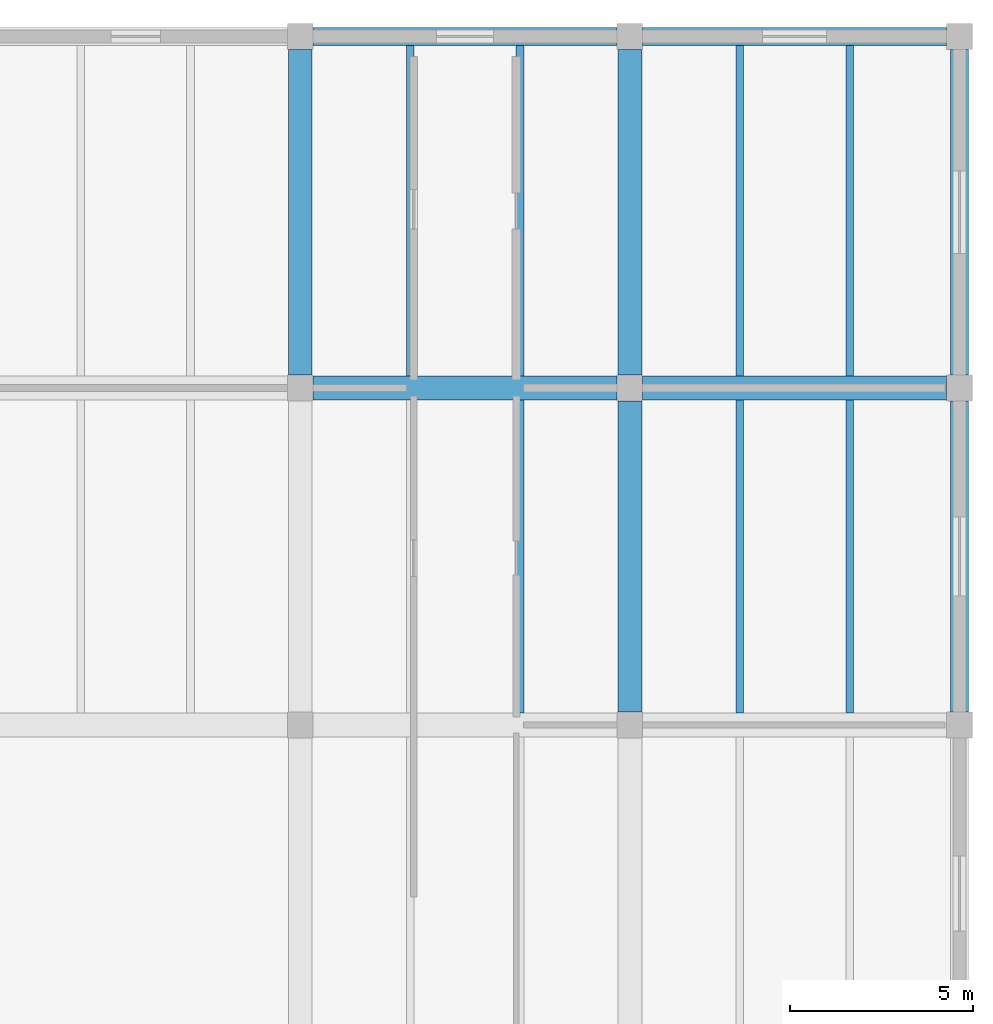
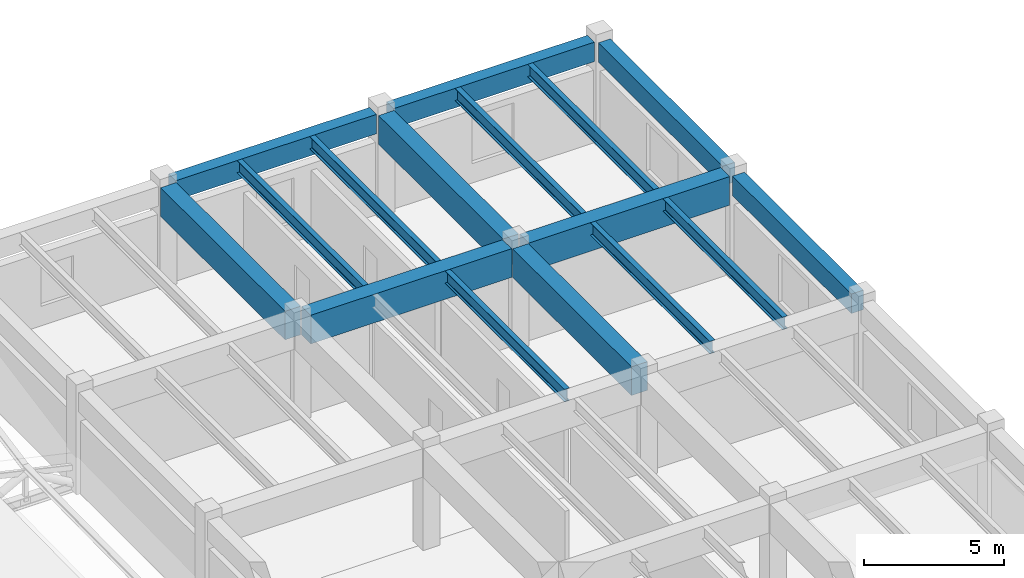
# One storey, part 46 of 90: 16 beams.
"""IFC4 building model written with IfcOpenShell, lengths in metres."""

import ifcopenshell
import ifcopenshell.guid

model = None  # the IFC model being written
_history = None  # IfcOwnerHistory: only IFC2X3 demands one
_inside = {}  # id of a spatial element -> (the spatial element, [elements in it])
_under = {}  # id of a project, library or spatial element -> (it, [spatial elements below it])
_declared = {}  # id of a project -> (the project, [libraries it declares])
_typed = {}  # id of a type object -> (the type object, [elements of that type])
_made_of = {}  # id of a material, layer set ... -> (it, [elements and type objects made of it])


def new_model(schema):
    """Start an empty IFC model of exactly this schema.

    Asked for "IFC4X3", IfcOpenShell would pick the latest addendum, in which some entities
    have other attributes; the version numbers below select the first issue.
    IFC2X3 requires an IfcOwnerHistory on every rooted entity: one is made here for all.
    """
    global model, _history
    if schema == "IFC4X3":
        model = ifcopenshell.file(schema_version=(4, 3, 0, 0))
    else:
        model = ifcopenshell.file(schema=schema)
    _inside.clear()
    _under.clear()
    _declared.clear()
    _typed.clear()
    _made_of.clear()
    _history = None
    if model.schema == "IFC2X3":
        org = make("IfcOrganization", Name="unknown")
        user = make(
            "IfcPersonAndOrganization",
            ThePerson=make("IfcPerson", FamilyName="unknown"),
            TheOrganization=org,
        )
        app = make(
            "IfcApplication",
            ApplicationDeveloper=org,
            Version="unknown",
            ApplicationFullName="unknown",
            ApplicationIdentifier="unknown",
        )
        _history = make(
            "IfcOwnerHistory",
            OwningUser=user,
            OwningApplication=app,
            ChangeAction="ADDED",
            CreationDate=0,
        )
    return model


def make(cls, **values):
    """One entity of the class cls with the attributes given. An attribute that is None is left unset."""
    return model.create_entity(
        cls, **{name: value for name, value in values.items() if value is not None}
    )


def rooted(cls, **values):
    """An entity with a GlobalId (a new one), such as an element, a storey or a relation."""
    return make(cls, GlobalId=ifcopenshell.guid.new(), OwnerHistory=_history, **values)


def si_unit(unit_type, name, prefix=None):
    """IfcSIUnit, for example si_unit("LENGTHUNIT", "METRE", prefix="MILLI")."""
    return make("IfcSIUnit", UnitType=unit_type, Prefix=prefix, Name=name)


def assignment(units):
    """IfcUnitAssignment: the units of a project."""
    return None if units is None else make("IfcUnitAssignment", Units=units)


def point(xyz):
    """IfcCartesianPoint."""
    return None if xyz is None else make("IfcCartesianPoint", Coordinates=xyz)


def direction(xyz):
    """IfcDirection."""
    return None if xyz is None else make("IfcDirection", DirectionRatios=xyz)


def frame(location, z_axis=None, x_axis=None):
    """IfcAxis2Placement3D, a coordinate frame: its origin and axes. An axis left out is left unset."""
    return make(
        "IfcAxis2Placement3D",
        Location=point(location),
        Axis=direction(z_axis),
        RefDirection=direction(x_axis),
    )


def frame_2d(location, x_axis=None):
    """IfcAxis2Placement2D, a coordinate frame in the plane: its origin and x axis."""
    return make(
        "IfcAxis2Placement2D", Location=point(location), RefDirection=direction(x_axis)
    )


def origin():
    """The frame at (0, 0, 0) with its axes left unset."""
    return frame((0.0, 0.0, 0.0))


def origin_2d():
    """The frame at (0, 0) in the plane with its x axis left unset."""
    return frame_2d((0.0, 0.0))


def place(relative_to, where):
    """IfcLocalPlacement: puts the frame where relative to a parent placement (None: the world)."""
    return make(
        "IfcLocalPlacement", PlacementRelTo=relative_to, RelativePlacement=where
    )


def context(
    kind, dimensions, precision=None, world=None, true_north=None, identifier=None
):
    """IfcGeometricRepresentationContext, for example the 3D "Model" context."""
    return make(
        "IfcGeometricRepresentationContext",
        ContextIdentifier=identifier,
        ContextType=kind,
        CoordinateSpaceDimension=dimensions,
        Precision=precision,
        WorldCoordinateSystem=world,
        TrueNorth=true_north,
    )


def subcontext(parent, identifier, kind, view, scale=None):
    """IfcGeometricRepresentationSubContext, for example "Body" below "Model"."""
    return make(
        "IfcGeometricRepresentationSubContext",
        ContextIdentifier=identifier,
        ContextType=kind,
        ParentContext=parent,
        TargetScale=scale,
        TargetView=view,
    )


def project(units=None, contexts=None):
    """IfcProject with its units and contexts."""
    return rooted(
        "IfcProject",
        Name="project",
        RepresentationContexts=contexts,
        UnitsInContext=assignment(units),
    )


def spatial(cls, under=None, at=None, **own):
    """A site, building, storey or space (cls), placed at a placement, below another one or the project."""
    s = rooted(cls, ObjectPlacement=at, **own)
    if under is not None:
        _under.setdefault(under.id(), (under, []))[1].append(s)
    return s


def profile(cls, at=None, kind="AREA", **sizes):
    """A parametric profile (cls). Its sizes go by their IFC names, for example OverallWidth=200.0."""
    return make(cls, ProfileType=kind, Position=at, **sizes)


def rectangle(**sizes):
    """IfcRectangleProfileDef."""
    return profile("IfcRectangleProfileDef", **sizes)


def i_section(**sizes):
    """IfcIShapeProfileDef."""
    return profile("IfcIShapeProfileDef", **sizes)


def extrude(swept, where, along, depth):
    """IfcExtrudedAreaSolid: the profile swept, set in the frame where, extruded along a direction by depth."""
    return make(
        "IfcExtrudedAreaSolid",
        SweptArea=swept,
        Position=where,
        ExtrudedDirection=direction(along),
        Depth=depth,
    )


def shape(context_of_items, identifier, shape_type, items):
    """IfcShapeRepresentation: the items that make up one representation, for example the "Body"."""
    return make(
        "IfcShapeRepresentation",
        ContextOfItems=context_of_items,
        RepresentationIdentifier=identifier,
        RepresentationType=shape_type,
        Items=items,
    )


def material(Name=None, Category=None):
    """IfcMaterial."""
    return make("IfcMaterial", Name=Name, Category=Category)


def material_profile(
    of_material, cross_section, Name=None, Category=None, Priority=None
):
    """IfcMaterialProfile: a cross section and its material."""
    return make(
        "IfcMaterialProfile",
        Name=Name,
        Material=of_material,
        Profile=cross_section,
        Priority=Priority,
        Category=Category,
    )


def profile_set(profiles, Name=None, composite=None):
    """IfcMaterialProfileSet."""
    return make(
        "IfcMaterialProfileSet",
        Name=Name,
        MaterialProfiles=profiles,
        CompositeProfile=composite,
    )


def made_of(thing, what):
    """Note that an element or type object is made of a material, layer set ...; save() writes the relation."""
    if what is not None:
        _made_of.setdefault(what.id(), (what, []))[1].append(thing)
    return thing


def type_object(cls, material=None, **own):
    """A type object (cls), such as IfcWallType, which elements share."""
    return made_of(rooted(cls, **own), material)


def element(
    cls,
    number,
    at=None,
    inside=None,
    cuts=None,
    type_object=None,
    material=None,
    context=None,
    identifier="Body",
    shape_type=None,
    held_by="IfcProductDefinitionShape",
    body=None,
    shapes=None,
    **own,
):
    """One element of the class cls, such as IfcWall. Its Tag is "e" and its number.

    at: its placement. inside: the storey or other place that contains it. cuts: it is an
    opening in that element (IfcRelVoidsElement). A single representation is given by context,
    identifier, shape_type and body (its items); several are given by shapes. held_by: the class
    of the entity that holds the representations. save() writes the other relations.
    """
    e = rooted(cls, Tag="e%d" % number, ObjectPlacement=at, **own)
    if body is not None:
        shapes = [shape(context, identifier, shape_type, body)]
    if shapes is not None:
        e.Representation = make(held_by, Representations=shapes)
    if inside is not None:
        _inside.setdefault(inside.id(), (inside, []))[1].append(e)
    if cuts is not None:
        rooted(
            "IfcRelVoidsElement", RelatingBuildingElement=cuts, RelatedOpeningElement=e
        )
    if type_object is not None:
        _typed.setdefault(type_object.id(), (type_object, []))[1].append(e)
    return made_of(e, material)


def aggregate(whole, parts):
    """IfcRelAggregates: a whole, such as a stair, and the parts it consists of."""
    return rooted("IfcRelAggregates", RelatingObject=whole, RelatedObjects=parts)


def save(model, path):
    """Write the relations noted so far, then the file.

    IfcRelAggregates (storeys below a building ...), IfcRelContainedInSpatialStructure (elements
    in a storey), IfcRelDefinesByType, IfcRelAssociatesMaterial and IfcRelDeclares: one each for
    every whole, place, type object, material and project.
    """
    for whole, parts in _under.values():
        aggregate(whole, parts)
    for where, things in _inside.values():
        rooted(
            "IfcRelContainedInSpatialStructure",
            RelatedElements=things,
            RelatingStructure=where,
        )
    for kind, things in _typed.values():
        rooted("IfcRelDefinesByType", RelatedObjects=things, RelatingType=kind)
    for what, things in _made_of.values():
        rooted("IfcRelAssociatesMaterial", RelatedObjects=things, RelatingMaterial=what)
    for by, libraries in _declared.values():
        rooted("IfcRelDeclares", RelatingContext=by, RelatedDefinitions=libraries)
    model.write(path)


model = new_model("IFC4")

# Units and contexts
model_context = context("Model", 3, precision=1e-05, world=origin(), true_north=direction((0.0, 1.0)))
body_context = subcontext(model_context, "Body", "Model", "MODEL_VIEW")
ifc_project = project(units=[si_unit("LENGTHUNIT", "METRE"), si_unit("AREAUNIT", "SQUARE_METRE"), si_unit("VOLUMEUNIT", "CUBIC_METRE"), si_unit("PLANEANGLEUNIT", "RADIAN"), si_unit("MASSUNIT", "GRAM", prefix="KILO")], contexts=[model_context])

# Site, building, storey
site_placement = place(None, origin())
site = spatial("IfcSite", under=ifc_project, at=site_placement, CompositionType="ELEMENT")
building_placement = place(site_placement, origin())
building = spatial("IfcBuilding", under=site, at=building_placement, Name="Bozkorgan Art Gallery", CompositionType="ELEMENT")
storey_placement = place(building_placement, frame((0.0, 0.0, 5.39990234375)))
storey = spatial("IfcBuildingStorey", under=building, at=storey_placement, Name="L01", CompositionType="ELEMENT", Elevation=5.39990234375)

# Beams
ifc_material_1 = material(Name="Concrete C35/45", Category="concrete")
ifc_material_profile_1 = material_profile(ifc_material_1, rectangle(XDim=0.64990234375, YDim=1.25, at=origin_2d()), Name="RC 650x1250")
ifc_profile_set_1 = profile_set([ifc_material_profile_1], Name="Concrete C35/45")
beam_type_1 = type_object("IfcBeamType", Name="BEAM-BM-54", PredefinedType="BEAM", material=ifc_profile_set_1)
for number, where, z_axis, x_axis, name in (
    (1, (146.35009765625, 102.800048828125, 3.815185546875), (1.0, 0.0, 0.0), (0.0, 1.0, 0.0), "V5 L01 beam X (146-155, 102.8)"),
    (2, (155.35009765625, 102.800048828125, 3.815185546875), (1.0, 0.0, 0.0), (0.0, 1.0, 0.0), "V5 L01 beam X (155-164, 102.8)"),
):
    element("IfcBeam", number, at=place(storey_placement, frame(where, z_axis=z_axis, x_axis=x_axis)), inside=storey, type_object=beam_type_1, Name=name, PredefinedType="BEAM", context=body_context, shape_type="SweptSolid", body=[
        extrude(rectangle(XDim=0.64990234375, YDim=1.25, at=origin_2d()), origin(), (0.0, 0.0, 1.0), 8.2998046875),
    ])
beam_1_placement = place(storey_placement, frame((146.0, 103.14990234375, 3.815185546875), z_axis=(0.0, 1.0, 0.0), x_axis=(-1.0, 0.0, 0.0)))
element("IfcBeam", 3, at=beam_1_placement, inside=storey, type_object=beam_type_1, Name="V5 L01 beam Y (146, 102.8-112.4)", PredefinedType="BEAM", context=body_context, shape_type="SweptSolid", body=[
    extrude(rectangle(XDim=0.64990234375, YDim=1.25, at=origin_2d()), origin(), (0.0, 0.0, 1.0), 8.900146484375),
])
beam_2_placement = place(storey_placement, frame((155.0, 93.949951171875, 3.815185546875), z_axis=(0.0, 1.0, 0.0), x_axis=(-1.0, 0.0, 0.0)))
element("IfcBeam", 4, at=beam_2_placement, inside=storey, type_object=beam_type_1, Name="V5 L01 beam Y (155, 93.6-102.8)", PredefinedType="BEAM", context=body_context, shape_type="SweptSolid", body=[
    extrude(rectangle(XDim=0.64990234375, YDim=1.25, at=origin_2d()), origin(), (0.0, 0.0, 1.0), 8.5),
])
beam_3_placement = place(storey_placement, frame((155.0, 103.14990234375, 3.815185546875), z_axis=(0.0, 1.0, 0.0), x_axis=(-1.0, 0.0, 0.0)))
element("IfcBeam", 5, at=beam_3_placement, inside=storey, type_object=beam_type_1, Name="V5 L01 beam Y (155, 102.8-112.4)", PredefinedType="BEAM", context=body_context, shape_type="SweptSolid", body=[
    extrude(rectangle(XDim=0.64990234375, YDim=1.25, at=origin_2d()), origin(), (0.0, 0.0, 1.0), 8.900146484375),
])
ifc_material_2 = material(Name="Steel S355J2", Category="steel")
ifc_material_profile_2 = material_profile(ifc_material_2, i_section(OverallWidth=0.2099609375, OverallDepth=0.550048828125, WebThickness=0.010986328125, FlangeThickness=0.01708984375, FilletRadius=0.02392578125, at=origin_2d()), Name="IPE 550")
ifc_profile_set_2 = profile_set([ifc_material_profile_2], Name="Steel S355J2")
beam_type_2 = type_object("IfcBeamType", Name="BEAM-JS-62", PredefinedType="JOIST", material=ifc_profile_set_2)
beam_4_placement = place(storey_placement, frame((152.0, 93.925048828125, 4.1650390625), z_axis=(0.0, 1.0, 0.0), x_axis=(-1.0, 0.0, 0.0)))
element("IfcBeam", 6, at=beam_4_placement, inside=storey, type_object=beam_type_2, Name="V5 L01 secondary joist (146-155, 93.6-102.8) #2", PredefinedType="JOIST", context=body_context, shape_type="SweptSolid", body=[
    extrude(i_section(OverallWidth=0.2099609375, OverallDepth=0.550048828125, WebThickness=0.010986328125, FlangeThickness=0.01708984375, FilletRadius=0.02392578125, at=origin_2d()), origin(), (0.0, 0.0, 1.0), 8.550048828125),
])
for number, where, z_axis, x_axis, name in (
    (7, (149.0, 103.125, 4.1650390625), (0.0, 1.0, 0.0), (-1.0, 0.0, 0.0), "V5 L01 secondary joist (146-155, 102.8-112.4) #1"),
    (8, (152.0, 103.125, 4.1650390625), (0.0, 1.0, 0.0), (-1.0, 0.0, 0.0), "V5 L01 secondary joist (146-155, 102.8-112.4) #2"),
):
    element("IfcBeam", number, at=place(storey_placement, frame(where, z_axis=z_axis, x_axis=x_axis)), inside=storey, type_object=beam_type_2, Name=name, PredefinedType="JOIST", context=body_context, shape_type="SweptSolid", body=[
        extrude(i_section(OverallWidth=0.2099609375, OverallDepth=0.550048828125, WebThickness=0.010986328125, FlangeThickness=0.01708984375, FilletRadius=0.02392578125, at=origin_2d()), origin(), (0.0, 0.0, 1.0), 9.02490234375),
    ])
for number, where, z_axis, x_axis, name in (
    (9, (158.0, 93.925048828125, 4.1650390625), (0.0, 1.0, 0.0), (-1.0, 0.0, 0.0), "V5 L01 secondary joist (155-164, 93.6-102.8) #1"),
    (10, (161.0, 93.925048828125, 4.1650390625), (0.0, 1.0, 0.0), (-1.0, 0.0, 0.0), "V5 L01 secondary joist (155-164, 93.6-102.8) #2"),
):
    element("IfcBeam", number, at=place(storey_placement, frame(where, z_axis=z_axis, x_axis=x_axis)), inside=storey, type_object=beam_type_2, Name=name, PredefinedType="JOIST", context=body_context, shape_type="SweptSolid", body=[
        extrude(i_section(OverallWidth=0.2099609375, OverallDepth=0.550048828125, WebThickness=0.010986328125, FlangeThickness=0.01708984375, FilletRadius=0.02392578125, at=origin_2d()), origin(), (0.0, 0.0, 1.0), 8.550048828125),
    ])
for number, where, z_axis, x_axis, name in (
    (11, (158.0, 103.125, 4.1650390625), (0.0, 1.0, 0.0), (-1.0, 0.0, 0.0), "V5 L01 secondary joist (155-164, 102.8-112.4) #1"),
    (12, (161.0, 103.125, 4.1650390625), (0.0, 1.0, 0.0), (-1.0, 0.0, 0.0), "V5 L01 secondary joist (155-164, 102.8-112.4) #2"),
):
    element("IfcBeam", number, at=place(storey_placement, frame(where, z_axis=z_axis, x_axis=x_axis)), inside=storey, type_object=beam_type_2, Name=name, PredefinedType="JOIST", context=body_context, shape_type="SweptSolid", body=[
        extrude(i_section(OverallWidth=0.2099609375, OverallDepth=0.550048828125, WebThickness=0.010986328125, FlangeThickness=0.01708984375, FilletRadius=0.02392578125, at=origin_2d()), origin(), (0.0, 0.0, 1.0), 9.02490234375),
    ])
ifc_material_profile_3 = material_profile(ifc_material_1, rectangle(XDim=0.5, YDim=0.85009765625, at=origin_2d()), Name="RC 500x850")
ifc_profile_set_3 = profile_set([ifc_material_profile_3], Name="Concrete C35/45")
beam_type_3 = type_object("IfcBeamType", Name="BEAM-SP-30", PredefinedType="SPANDREL", material=ifc_profile_set_3)
for number, where, z_axis, x_axis, name in (
    (13, (146.35009765625, 112.39990234375, 4.01513671875), (1.0, 0.0, 0.0), (0.0, 1.0, 0.0), "V5 L01 spandrel X (146-155, 112.4)"),
    (14, (155.35009765625, 112.39990234375, 4.01513671875), (1.0, 0.0, 0.0), (0.0, 1.0, 0.0), "V5 L01 spandrel X (155-164, 112.4)"),
):
    element("IfcBeam", number, at=place(storey_placement, frame(where, z_axis=z_axis, x_axis=x_axis)), inside=storey, type_object=beam_type_3, Name=name, PredefinedType="SPANDREL", context=body_context, shape_type="SweptSolid", body=[
        extrude(rectangle(XDim=0.5, YDim=0.85009765625, at=origin_2d()), origin(), (0.0, 0.0, 1.0), 8.2998046875),
    ])
beam_5_placement = place(storey_placement, frame((164.0, 93.949951171875, 4.01513671875), z_axis=(0.0, 1.0, 0.0), x_axis=(-1.0, 0.0, 0.0)))
element("IfcBeam", 15, at=beam_5_placement, inside=storey, type_object=beam_type_3, Name="V5 L01 spandrel Y (164, 93.6-102.8)", PredefinedType="SPANDREL", context=body_context, shape_type="SweptSolid", body=[
    extrude(rectangle(XDim=0.5, YDim=0.85009765625, at=origin_2d()), origin(), (0.0, 0.0, 1.0), 8.5),
])
beam_6_placement = place(storey_placement, frame((164.0, 103.14990234375, 4.01513671875), z_axis=(0.0, 1.0, 0.0), x_axis=(-1.0, 0.0, 0.0)))
element("IfcBeam", 16, at=beam_6_placement, inside=storey, type_object=beam_type_3, Name="V5 L01 spandrel Y (164, 102.8-112.4)", PredefinedType="SPANDREL", context=body_context, shape_type="SweptSolid", body=[
    extrude(rectangle(XDim=0.5, YDim=0.85009765625, at=origin_2d()), origin(), (0.0, 0.0, 1.0), 8.900146484375),
])

save(model, "model.ifc")
